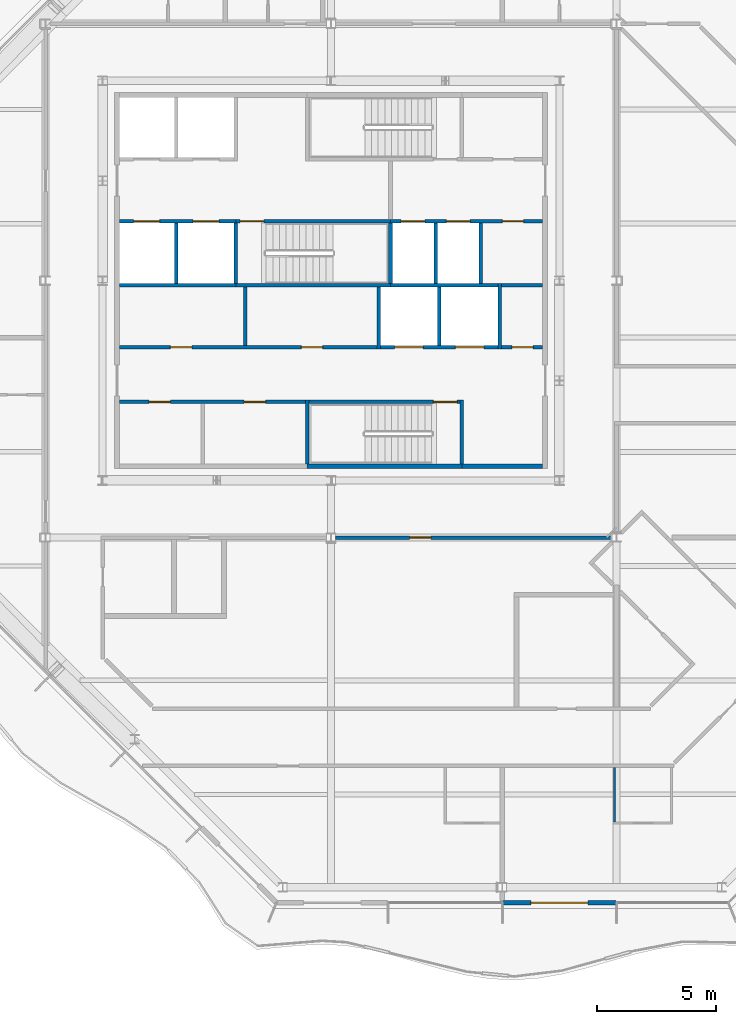
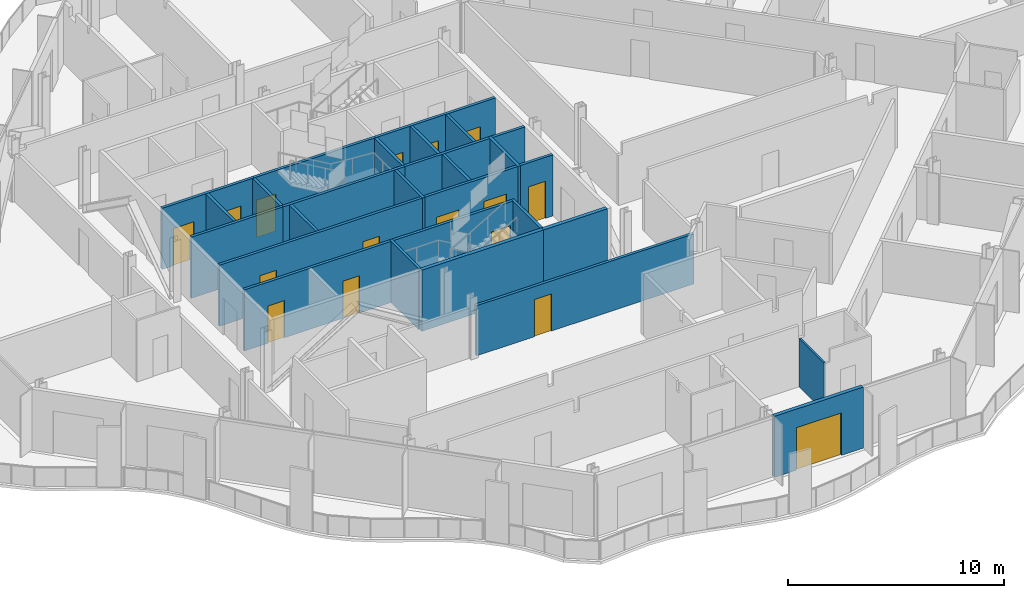
# One storey, part 8 of 17: 28 walls, 16 doors, 16 openings.
"""IFC4 building model written with IfcOpenShell, lengths in metres."""

from ifc_helpers import new_model, si_unit, direction, frame, frame_2d, origin, place, context, subcontext, project, spatial, rectangle, extrude, material, layer, layer_set, type_object, element, fill, save


model = new_model("IFC4")

# Units and contexts
model_context = context("Model", 3, precision=1e-05, world=origin(), true_north=direction((0.0, 1.0)))
body_context = subcontext(model_context, "Body", "Model", "MODEL_VIEW")
ifc_project = project(units=[si_unit("LENGTHUNIT", "METRE"), si_unit("AREAUNIT", "SQUARE_METRE"), si_unit("VOLUMEUNIT", "CUBIC_METRE"), si_unit("PLANEANGLEUNIT", "RADIAN"), si_unit("MASSUNIT", "GRAM", prefix="KILO")], contexts=[model_context])

# Site, building, storey
site_placement = place(None, origin())
site = spatial("IfcSite", under=ifc_project, at=site_placement, CompositionType="ELEMENT")
building_placement = place(site_placement, origin())
building = spatial("IfcBuilding", under=site, at=building_placement, Name="Cairn Pilgrim Tower", CompositionType="ELEMENT")
storey_placement = place(building_placement, frame((0.0, 0.0, 239.39990234375)))
storey = spatial("IfcBuildingStorey", under=building, at=storey_placement, Name="L61", CompositionType="ELEMENT", Elevation=239.39990234375)

# Wall, opening, door
ifc_material_1 = material(Name="Bronze anodised aluminium insulated sandwich panel with mineral wool fill", Category="aluminium")
ifc_layer_1 = layer(ifc_material_1, 0.199951171875)
ifc_layer_set_1 = layer_set([ifc_layer_1], Name="BRONZE INFILL FRAME WALL 200")
wall_type_1 = type_object("IfcWallType", Name="BRONZE INFILL FRAME WALL 200", PredefinedType="NOTDEFINED", material=ifc_layer_set_1)
wall_1_placement = place(storey_placement, frame((14.429931640625, -23.75, 0.0), z_axis=(0.0, 0.0, 1.0), x_axis=(1.0, 0.0, 0.0)))
wall_1 = element("IfcWall", 1, at=wall_1_placement, inside=storey, type_object=wall_type_1, Name="Bronze infill frame wall IW-S3", PredefinedType="NOTDEFINED", context=body_context, shape_type="SweptSolid", body=[
    extrude(rectangle(XDim=4.739990234375, YDim=0.199951171875, at=frame_2d((2.3701171875, 0.0))), origin(), (0.0, 0.0, 1.0), 3.4501953125),
])
opening_1_placement = place(wall_1_placement, frame((1.169921875, 0.0, 0.0)))
opening_1 = element("IfcOpeningElement", 2, at=opening_1_placement, cuts=wall_1, Name="Opening 6101B2", PredefinedType="OPENING", context=body_context, shape_type="SweptSolid", body=[
    extrude(rectangle(XDim=2.39990234375, YDim=2.39990234375, at=frame_2d((1.199951171875, 1.199951171875))), frame((0.0, 0.10986328125, 0.0), z_axis=(0.0, -1.0, 0.0), x_axis=(1.0, 0.0, 0.0)), (0.0, 0.0, 1.0), 0.219970703125),
])
ifc_material_2 = material(Name="Bronze anodised aluminium frame with tinted low-E glass", Category="aluminium")
door_type_1 = type_object("IfcDoorType", Name="BALCONY SLIDING DOOR 2400x2400", OperationType="DOUBLE_DOOR_SLIDING", PredefinedType="DOOR", material=ifc_material_2)
door_1_placement = place(opening_1_placement, origin())
door_1 = element("IfcDoor", 3, at=door_1_placement, inside=storey, type_object=door_type_1, Name="Balcony sliding door 6101B2", OperationType="SINGLE_SWING_LEFT", OverallHeight=2.39990234375, OverallWidth=2.39990234375, PredefinedType="DOOR", context=body_context, shape_type="SweptSolid", body=[
    extrude(rectangle(XDim=2.39990234375, YDim=2.39990234375, at=frame_2d((1.199951171875, 1.199951171875))), frame((0.0, 0.02490234375, 0.0), z_axis=(0.0, -1.0, 0.0), x_axis=(1.0, 0.0, 0.0)), (0.0, 0.0, 1.0), 0.050048828125),
])
fill(opening_1, door_1)

# Wall
ifc_material_3 = material(Name="Concrete C32/40", Category="concrete")
ifc_layer_2 = layer(ifc_material_3, 0.199951171875)
ifc_layer_set_2 = layer_set([ifc_layer_2], Name="CORE OUTER WALL 200 EI 120")
wall_type_2 = type_object("IfcWallType", Name="CORE OUTER WALL 200 EI 120", PredefinedType="SOLIDWALL", material=ifc_layer_set_2)
wall_2_placement = place(storey_placement, frame((12.699951171875, -5.39990234375, 0.0), z_axis=(0.0, 0.0, 1.0), x_axis=(1.0, 0.0, 0.0)))
element("IfcWall", 4, at=wall_2_placement, inside=storey, type_object=wall_type_2, Name="CW:L61:H01-3", PredefinedType="SOLIDWALL", context=body_context, shape_type="SweptSolid", body=[
    extrude(rectangle(XDim=3.400146484375, YDim=0.199951171875, at=frame_2d((1.7001953125, 0.0))), origin(), (0.0, 0.0, 1.0), 3.4501953125),
])

# Wall, openings, doors
ifc_layer_3 = layer(ifc_material_3, 0.14990234375)
ifc_layer_set_3 = layer_set([ifc_layer_3], Name="CORE PARTITION 150 EI 60")
wall_type_3 = type_object("IfcWallType", Name="CORE PARTITION 150 EI 60", PredefinedType="PARTITIONING", material=ifc_layer_set_3)
wall_3_placement = place(storey_placement, frame((-1.699951171875, -2.699951171875, 0.0), z_axis=(0.0, 0.0, 1.0), x_axis=(1.0, 0.0, 0.0)))
wall_3 = element("IfcWall", 5, at=wall_3_placement, inside=storey, type_object=wall_type_3, Name="CW:L61:H02", PredefinedType="PARTITIONING", context=body_context, shape_type="SweptSolid", body=[
    extrude(rectangle(XDim=7.824951171875, YDim=0.14990234375, at=frame_2d((3.91259765625, 0.0))), origin(), (0.0, 0.0, 1.0), 3.4501953125),
])
opening_2_placement = place(wall_3_placement, frame((1.25, 0.0, 0.0)))
opening_2 = element("IfcOpeningElement", 6, at=opening_2_placement, cuts=wall_3, Name="Opening RD-R1W1", PredefinedType="OPENING", context=body_context, shape_type="SweptSolid", body=[
    extrude(rectangle(XDim=0.89990234375, YDim=2.10009765625, at=frame_2d((0.449951171875, 1.050048828125))), frame((0.0, 0.0849609375, 0.0), z_axis=(0.0, -1.0, 0.0), x_axis=(1.0, 0.0, 0.0)), (0.0, 0.0, 1.0), 0.169921875),
])
opening_3_placement = place(wall_3_placement, frame((5.25, 0.0, 0.0)))
opening_3 = element("IfcOpeningElement", 7, at=opening_3_placement, cuts=wall_3, Name="Opening RD-R1W2", PredefinedType="OPENING", context=body_context, shape_type="SweptSolid", body=[
    extrude(rectangle(XDim=0.89990234375, YDim=2.10009765625, at=frame_2d((0.449951171875, 1.050048828125))), frame((0.0, 0.0849609375, 0.0), z_axis=(0.0, -1.0, 0.0), x_axis=(1.0, 0.0, 0.0)), (0.0, 0.0, 1.0), 0.169921875),
])
ifc_material_4 = material(Name="Painted steel", Category="steel")
door_type_2 = type_object("IfcDoorType", Name="SERVICE ROOM DOOR 900x2100", OperationType="SINGLE_SWING_LEFT", PredefinedType="DOOR", material=ifc_material_4)
door_2_placement = place(opening_2_placement, origin())
door_2 = element("IfcDoor", 8, at=door_2_placement, inside=storey, type_object=door_type_2, Name="RD-R1W1", OperationType="SINGLE_SWING_LEFT", OverallHeight=2.10009765625, OverallWidth=0.89990234375, PredefinedType="DOOR", context=body_context, shape_type="SweptSolid", body=[
    extrude(rectangle(XDim=0.89990234375, YDim=2.10009765625, at=frame_2d((0.449951171875, 1.050048828125))), frame((0.0, 0.02490234375, 0.0), z_axis=(0.0, -1.0, 0.0), x_axis=(1.0, 0.0, 0.0)), (0.0, 0.0, 1.0), 0.050048828125),
])
fill(opening_2, door_2)
door_3_placement = place(opening_3_placement, origin())
door_3 = element("IfcDoor", 9, at=door_3_placement, inside=storey, type_object=door_type_2, Name="RD-R1W2", OperationType="SINGLE_SWING_RIGHT", OverallHeight=2.10009765625, OverallWidth=0.89990234375, PredefinedType="DOOR", context=body_context, shape_type="SweptSolid", body=[
    extrude(rectangle(XDim=0.89990234375, YDim=2.10009765625, at=frame_2d((0.449951171875, 1.050048828125))), frame((0.0, 0.02490234375, 0.0), z_axis=(0.0, -1.0, 0.0), x_axis=(1.0, 0.0, 0.0)), (0.0, 0.0, 1.0), 0.050048828125),
])
fill(opening_3, door_3)

wall_4_placement = place(storey_placement, frame((-1.699951171875, -0.39990234375, 0.0), z_axis=(0.0, 0.0, 1.0), x_axis=(1.0, 0.0, 0.0)))
wall_4 = element("IfcWall", 10, at=wall_4_placement, inside=storey, type_object=wall_type_3, Name="CW:L61:H04", PredefinedType="PARTITIONING", context=body_context, shape_type="SweptSolid", body=[
    extrude(rectangle(XDim=10.824951171875, YDim=0.14990234375, at=frame_2d((5.41259765625, 0.0))), origin(), (0.0, 0.0, 1.0), 3.4501953125),
])
opening_4_placement = place(wall_4_placement, frame((2.14990234375, 0.0, 0.0)))
opening_4 = element("IfcOpeningElement", 11, at=opening_4_placement, cuts=wall_4, Name="Opening RD-R2W1", PredefinedType="OPENING", context=body_context, shape_type="SweptSolid", body=[
    extrude(rectangle(XDim=0.89990234375, YDim=2.10009765625, at=frame_2d((0.449951171875, 1.050048828125))), frame((0.0, 0.0849609375, 0.0), z_axis=(0.0, -1.0, 0.0), x_axis=(1.0, 0.0, 0.0)), (0.0, 0.0, 1.0), 0.169921875),
])
opening_5_placement = place(wall_4_placement, frame((7.64990234375, 0.0, 0.0)))
opening_5 = element("IfcOpeningElement", 12, at=opening_5_placement, cuts=wall_4, Name="Opening RD-R2W2", PredefinedType="OPENING", context=body_context, shape_type="SweptSolid", body=[
    extrude(rectangle(XDim=0.89990234375, YDim=2.10009765625, at=frame_2d((0.449951171875, 1.050048828125))), frame((0.0, 0.0849609375, 0.0), z_axis=(0.0, -1.0, 0.0), x_axis=(1.0, 0.0, 0.0)), (0.0, 0.0, 1.0), 0.169921875),
])
door_4_placement = place(opening_4_placement, origin())
door_4 = element("IfcDoor", 13, at=door_4_placement, inside=storey, type_object=door_type_2, Name="RD-R2W1", OperationType="SINGLE_SWING_LEFT", OverallHeight=2.10009765625, OverallWidth=0.89990234375, PredefinedType="DOOR", context=body_context, shape_type="SweptSolid", body=[
    extrude(rectangle(XDim=0.89990234375, YDim=2.10009765625, at=frame_2d((0.449951171875, 1.050048828125))), frame((0.0, 0.02490234375, 0.0), z_axis=(0.0, -1.0, 0.0), x_axis=(1.0, 0.0, 0.0)), (0.0, 0.0, 1.0), 0.050048828125),
])
fill(opening_4, door_4)
door_5_placement = place(opening_5_placement, origin())
door_5 = element("IfcDoor", 14, at=door_5_placement, inside=storey, type_object=door_type_2, Name="RD-R2W2", OperationType="SINGLE_SWING_RIGHT", OverallHeight=2.10009765625, OverallWidth=0.89990234375, PredefinedType="DOOR", context=body_context, shape_type="SweptSolid", body=[
    extrude(rectangle(XDim=0.89990234375, YDim=2.10009765625, at=frame_2d((0.449951171875, 1.050048828125))), frame((0.0, 0.02490234375, 0.0), z_axis=(0.0, -1.0, 0.0), x_axis=(1.0, 0.0, 0.0)), (0.0, 0.0, 1.0), 0.050048828125),
])
fill(opening_5, door_5)

# Wall, opening, door
wall_5_placement = place(storey_placement, frame((14.375, -0.39990234375, 0.0), z_axis=(0.0, 0.0, 1.0), x_axis=(1.0, 0.0, 0.0)))
wall_5 = element("IfcWall", 15, at=wall_5_placement, inside=storey, type_object=wall_type_3, Name="CW:L61:H06", PredefinedType="PARTITIONING", context=body_context, shape_type="SweptSolid", body=[
    extrude(rectangle(XDim=1.72509765625, YDim=0.14990234375, at=frame_2d((0.862548828125, 0.0))), origin(), (0.0, 0.0, 1.0), 3.4501953125),
])
opening_6_placement = place(wall_5_placement, frame((0.425048828125, 0.0, 0.0)))
opening_6 = element("IfcOpeningElement", 16, at=opening_6_placement, cuts=wall_5, Name="Opening RD-R2E", PredefinedType="OPENING", context=body_context, shape_type="SweptSolid", body=[
    extrude(rectangle(XDim=0.89990234375, YDim=2.10009765625, at=frame_2d((0.449951171875, 1.050048828125))), frame((0.0, 0.0849609375, 0.0), z_axis=(0.0, -1.0, 0.0), x_axis=(1.0, 0.0, 0.0)), (0.0, 0.0, 1.0), 0.169921875),
])
door_6_placement = place(opening_6_placement, origin())
door_6 = element("IfcDoor", 17, at=door_6_placement, inside=storey, type_object=door_type_2, Name="RD-R2E", OperationType="SINGLE_SWING_RIGHT", OverallHeight=2.10009765625, OverallWidth=0.89990234375, PredefinedType="DOOR", context=body_context, shape_type="SweptSolid", body=[
    extrude(rectangle(XDim=0.89990234375, YDim=2.10009765625, at=frame_2d((0.449951171875, 1.050048828125))), frame((0.0, 0.02490234375, 0.0), z_axis=(0.0, -1.0, 0.0), x_axis=(1.0, 0.0, 0.0)), (0.0, 0.0, 1.0), 0.050048828125),
])
fill(opening_6, door_6)

# Walls
wall_6_placement = place(storey_placement, frame((14.375, 2.199951171875, 0.0), z_axis=(0.0, 0.0, 1.0), x_axis=(1.0, 0.0, 0.0)))
element("IfcWall", 18, at=wall_6_placement, inside=storey, type_object=wall_type_3, Name="CW:L61:H08", PredefinedType="PARTITIONING", context=body_context, shape_type="SweptSolid", body=[
    extrude(rectangle(XDim=1.72509765625, YDim=0.14990234375, at=frame_2d((0.862548828125, 0.0))), origin(), (0.0, 0.0, 1.0), 3.4501953125),
])
wall_7_placement = place(storey_placement, frame((3.60009765625, -0.324951171875, 0.0), z_axis=(0.0, 0.0, 1.0), x_axis=(0.0, 1.0, 0.0)))
element("IfcWall", 19, at=wall_7_placement, inside=storey, type_object=wall_type_3, Name="CW:L61:V19", PredefinedType="PARTITIONING", context=body_context, shape_type="SweptSolid", body=[
    extrude(rectangle(XDim=2.449951171875, YDim=0.14990234375, at=frame_2d((1.22509765625, 0.0))), origin(), (0.0, 0.0, 1.0), 3.4501953125),
])

# Wall, openings, doors
ifc_layer_4 = layer(ifc_material_3, 0.14990234375)
ifc_layer_set_4 = layer_set([ifc_layer_4], Name="CORE SHAFT WALL 150 EI 120")
wall_type_4 = type_object("IfcWallType", Name="CORE SHAFT WALL 150 EI 120", PredefinedType="SOLIDWALL", material=ifc_layer_set_4)
wall_8_placement = place(storey_placement, frame((9.27490234375, -0.39990234375, 0.0), z_axis=(0.0, 0.0, 1.0), x_axis=(1.0, 0.0, 0.0)))
wall_8 = element("IfcWall", 20, at=wall_8_placement, inside=storey, type_object=wall_type_4, Name="CW:L61:H05", PredefinedType="SOLIDWALL", context=body_context, shape_type="SweptSolid", body=[
    extrude(rectangle(XDim=4.9501953125, YDim=0.14990234375, at=frame_2d((2.47509765625, 0.0))), origin(), (0.0, 0.0, 1.0), 3.4501953125),
])
opening_7_placement = place(wall_8_placement, frame((0.60009765625, 0.0, 0.0)))
opening_7 = element("IfcOpeningElement", 21, at=opening_7_placement, cuts=wall_8, Name="Opening LD-SV1", PredefinedType="OPENING", context=body_context, shape_type="SweptSolid", body=[
    extrude(rectangle(XDim=1.199951171875, YDim=2.10009765625, at=frame_2d((0.60009765625, 1.050048828125))), frame((0.0, 0.0849609375, 0.0), z_axis=(0.0, -1.0, 0.0), x_axis=(1.0, 0.0, 0.0)), (0.0, 0.0, 1.0), 0.169921875),
])
opening_8_placement = place(wall_8_placement, frame((3.14990234375, 0.0, 0.0)))
opening_8 = element("IfcOpeningElement", 22, at=opening_8_placement, cuts=wall_8, Name="Opening LD-SV2", PredefinedType="OPENING", context=body_context, shape_type="SweptSolid", body=[
    extrude(rectangle(XDim=1.199951171875, YDim=2.10009765625, at=frame_2d((0.60009765625, 1.050048828125))), frame((0.0, 0.0849609375, 0.0), z_axis=(0.0, -1.0, 0.0), x_axis=(1.0, 0.0, 0.0)), (0.0, 0.0, 1.0), 0.169921875),
])
ifc_material_5 = material(Name="Stainless steel", Category="steel")
door_type_3 = type_object("IfcDoorType", Name="LIFT LANDING DOOR 1200x2100", OperationType="DOUBLE_DOOR_SLIDING", PredefinedType="DOOR", material=ifc_material_5)
door_7_placement = place(opening_7_placement, origin())
door_7 = element("IfcDoor", 23, at=door_7_placement, inside=storey, type_object=door_type_3, Name="LANDING DOOR SV1", OperationType="DOUBLE_DOOR_SLIDING", OverallHeight=2.10009765625, OverallWidth=1.199951171875, PredefinedType="DOOR", context=body_context, shape_type="SweptSolid", body=[
    extrude(rectangle(XDim=1.199951171875, YDim=2.10009765625, at=frame_2d((0.60009765625, 1.050048828125))), frame((0.0, 0.02490234375, 0.0), z_axis=(0.0, -1.0, 0.0), x_axis=(1.0, 0.0, 0.0)), (0.0, 0.0, 1.0), 0.050048828125),
])
fill(opening_7, door_7)
door_8_placement = place(opening_8_placement, origin())
door_8 = element("IfcDoor", 24, at=door_8_placement, inside=storey, type_object=door_type_3, Name="LANDING DOOR SV2", OperationType="DOUBLE_DOOR_SLIDING", OverallHeight=2.10009765625, OverallWidth=1.199951171875, PredefinedType="DOOR", context=body_context, shape_type="SweptSolid", body=[
    extrude(rectangle(XDim=1.199951171875, YDim=2.10009765625, at=frame_2d((0.60009765625, 1.050048828125))), frame((0.0, 0.02490234375, 0.0), z_axis=(0.0, -1.0, 0.0), x_axis=(1.0, 0.0, 0.0)), (0.0, 0.0, 1.0), 0.050048828125),
])
fill(opening_8, door_8)

# Walls
wall_9_placement = place(storey_placement, frame((-1.699951171875, 2.199951171875, 0.0), z_axis=(0.0, 0.0, 1.0), x_axis=(1.0, 0.0, 0.0)))
element("IfcWall", 25, at=wall_9_placement, inside=storey, type_object=wall_type_4, Name="CW:L61:H07-1", PredefinedType="SOLIDWALL", context=body_context, shape_type="SweptSolid", body=[
    extrude(rectangle(XDim=4.89990234375, YDim=0.14990234375, at=frame_2d((2.449951171875, 0.0))), origin(), (0.0, 0.0, 1.0), 3.4501953125),
])
wall_10_placement = place(storey_placement, frame((9.699951171875, 2.199951171875, 0.0), z_axis=(0.0, 0.0, 1.0), x_axis=(1.0, 0.0, 0.0)))
element("IfcWall", 26, at=wall_10_placement, inside=storey, type_object=wall_type_4, Name="CW:L61:H07-3", PredefinedType="SOLIDWALL", context=body_context, shape_type="SweptSolid", body=[
    extrude(rectangle(XDim=4.525146484375, YDim=0.14990234375, at=frame_2d((2.2626953125, 0.0))), origin(), (0.0, 0.0, 1.0), 3.4501953125),
])

# Wall, openings, doors
wall_11_placement = place(storey_placement, frame((-1.699951171875, 4.89990234375, 0.0), z_axis=(0.0, 0.0, 1.0), x_axis=(1.0, 0.0, 0.0)))
wall_11 = element("IfcWall", 27, at=wall_11_placement, inside=storey, type_object=wall_type_4, Name="CW:L61:H09-1", PredefinedType="SOLIDWALL", context=body_context, shape_type="SweptSolid", body=[
    extrude(rectangle(XDim=4.89990234375, YDim=0.14990234375, at=frame_2d((2.449951171875, 0.0))), origin(), (0.0, 0.0, 1.0), 3.4501953125),
])
opening_9_placement = place(wall_11_placement, frame((0.60009765625, 0.0, 0.0)))
opening_9 = element("IfcOpeningElement", 28, at=opening_9_placement, cuts=wall_11, Name="Opening LD-HR1", PredefinedType="OPENING", context=body_context, shape_type="SweptSolid", body=[
    extrude(rectangle(XDim=1.10009765625, YDim=2.10009765625, at=frame_2d((0.550048828125, 1.050048828125))), frame((0.0, 0.0849609375, 0.0), z_axis=(0.0, -1.0, 0.0), x_axis=(1.0, 0.0, 0.0)), (0.0, 0.0, 1.0), 0.169921875),
])
opening_10_placement = place(wall_11_placement, frame((3.10009765625, 0.0, 0.0)))
opening_10 = element("IfcOpeningElement", 29, at=opening_10_placement, cuts=wall_11, Name="Opening LD-HR2", PredefinedType="OPENING", context=body_context, shape_type="SweptSolid", body=[
    extrude(rectangle(XDim=1.10009765625, YDim=2.10009765625, at=frame_2d((0.550048828125, 1.050048828125))), frame((0.0, 0.0849609375, 0.0), z_axis=(0.0, -1.0, 0.0), x_axis=(1.0, 0.0, 0.0)), (0.0, 0.0, 1.0), 0.169921875),
])
door_type_4 = type_object("IfcDoorType", Name="LIFT LANDING DOOR 1100x2100", OperationType="DOUBLE_DOOR_SLIDING", PredefinedType="DOOR", material=ifc_material_5)
door_9_placement = place(opening_9_placement, origin())
door_9 = element("IfcDoor", 30, at=door_9_placement, inside=storey, type_object=door_type_4, Name="LANDING DOOR HR1", OperationType="DOUBLE_DOOR_SLIDING", OverallHeight=2.10009765625, OverallWidth=1.10009765625, PredefinedType="DOOR", context=body_context, shape_type="SweptSolid", body=[
    extrude(rectangle(XDim=1.10009765625, YDim=2.10009765625, at=frame_2d((0.550048828125, 1.050048828125))), frame((0.0, 0.02490234375, 0.0), z_axis=(0.0, -1.0, 0.0), x_axis=(1.0, 0.0, 0.0)), (0.0, 0.0, 1.0), 0.050048828125),
])
fill(opening_9, door_9)
door_10_placement = place(opening_10_placement, origin())
door_10 = element("IfcDoor", 31, at=door_10_placement, inside=storey, type_object=door_type_4, Name="LANDING DOOR HR2", OperationType="DOUBLE_DOOR_SLIDING", OverallHeight=2.10009765625, OverallWidth=1.10009765625, PredefinedType="DOOR", context=body_context, shape_type="SweptSolid", body=[
    extrude(rectangle(XDim=1.10009765625, YDim=2.10009765625, at=frame_2d((0.550048828125, 1.050048828125))), frame((0.0, 0.02490234375, 0.0), z_axis=(0.0, -1.0, 0.0), x_axis=(1.0, 0.0, 0.0)), (0.0, 0.0, 1.0), 0.050048828125),
])
fill(opening_10, door_10)

wall_12_placement = place(storey_placement, frame((9.699951171875, 4.89990234375, 0.0), z_axis=(0.0, 0.0, 1.0), x_axis=(1.0, 0.0, 0.0)))
wall_12 = element("IfcWall", 32, at=wall_12_placement, inside=storey, type_object=wall_type_4, Name="CW:L61:H09-3", PredefinedType="SOLIDWALL", context=body_context, shape_type="SweptSolid", body=[
    extrude(rectangle(XDim=6.400146484375, YDim=0.14990234375, at=frame_2d((3.2001953125, 0.0))), origin(), (0.0, 0.0, 1.0), 3.4501953125),
])
opening_11_placement = place(wall_12_placement, frame((0.449951171875, 0.0, 0.0)))
opening_11 = element("IfcOpeningElement", 33, at=opening_11_placement, cuts=wall_12, Name="Opening LD-FF1", PredefinedType="OPENING", context=body_context, shape_type="SweptSolid", body=[
    extrude(rectangle(XDim=1.0, YDim=2.10009765625, at=frame_2d((0.5, 1.050048828125))), frame((0.0, 0.0849609375, 0.0), z_axis=(0.0, -1.0, 0.0), x_axis=(1.0, 0.0, 0.0)), (0.0, 0.0, 1.0), 0.169921875),
])
opening_12_placement = place(wall_12_placement, frame((2.35009765625, 0.0, 0.0)))
opening_12 = element("IfcOpeningElement", 34, at=opening_12_placement, cuts=wall_12, Name="Opening LD-FF2", PredefinedType="OPENING", context=body_context, shape_type="SweptSolid", body=[
    extrude(rectangle(XDim=1.0, YDim=2.10009765625, at=frame_2d((0.5, 1.050048828125))), frame((0.0, 0.0849609375, 0.0), z_axis=(0.0, -1.0, 0.0), x_axis=(1.0, 0.0, 0.0)), (0.0, 0.0, 1.0), 0.169921875),
])
opening_13_placement = place(wall_12_placement, frame((4.699951171875, 0.0, 0.0)))
opening_13 = element("IfcOpeningElement", 35, at=opening_13_placement, cuts=wall_12, Name="Opening RD-R3E", PredefinedType="OPENING", context=body_context, shape_type="SweptSolid", body=[
    extrude(rectangle(XDim=0.89990234375, YDim=2.10009765625, at=frame_2d((0.449951171875, 1.050048828125))), frame((0.0, 0.0849609375, 0.0), z_axis=(0.0, -1.0, 0.0), x_axis=(1.0, 0.0, 0.0)), (0.0, 0.0, 1.0), 0.169921875),
])
door_type_5 = type_object("IfcDoorType", Name="LIFT LANDING DOOR FIRE 1000x2100", OperationType="DOUBLE_DOOR_SLIDING", PredefinedType="DOOR", material=ifc_material_5)
door_11_placement = place(opening_11_placement, origin())
door_11 = element("IfcDoor", 36, at=door_11_placement, inside=storey, type_object=door_type_5, Name="LANDING DOOR FF1", OperationType="DOUBLE_DOOR_SLIDING", OverallHeight=2.10009765625, OverallWidth=1.0, PredefinedType="DOOR", context=body_context, shape_type="SweptSolid", body=[
    extrude(rectangle(XDim=1.0, YDim=2.10009765625, at=frame_2d((0.5, 1.050048828125))), frame((0.0, 0.02490234375, 0.0), z_axis=(0.0, -1.0, 0.0), x_axis=(1.0, 0.0, 0.0)), (0.0, 0.0, 1.0), 0.050048828125),
])
fill(opening_11, door_11)
door_12_placement = place(opening_12_placement, origin())
door_12 = element("IfcDoor", 37, at=door_12_placement, inside=storey, type_object=door_type_5, Name="LANDING DOOR FF2", OperationType="DOUBLE_DOOR_SLIDING", OverallHeight=2.10009765625, OverallWidth=1.0, PredefinedType="DOOR", context=body_context, shape_type="SweptSolid", body=[
    extrude(rectangle(XDim=1.0, YDim=2.10009765625, at=frame_2d((0.5, 1.050048828125))), frame((0.0, 0.02490234375, 0.0), z_axis=(0.0, -1.0, 0.0), x_axis=(1.0, 0.0, 0.0)), (0.0, 0.0, 1.0), 0.050048828125),
])
fill(opening_12, door_12)
door_13_placement = place(opening_13_placement, origin())
door_13 = element("IfcDoor", 38, at=door_13_placement, inside=storey, type_object=door_type_2, Name="RD-R3E", OperationType="SINGLE_SWING_LEFT", OverallHeight=2.10009765625, OverallWidth=0.89990234375, PredefinedType="DOOR", context=body_context, shape_type="SweptSolid", body=[
    extrude(rectangle(XDim=0.89990234375, YDim=2.10009765625, at=frame_2d((0.449951171875, 1.050048828125))), frame((0.0, 0.02490234375, 0.0), z_axis=(0.0, -1.0, 0.0), x_axis=(1.0, 0.0, 0.0)), (0.0, 0.0, 1.0), 0.050048828125),
])
fill(opening_13, door_13)

# Walls
wall_13_placement = place(storey_placement, frame((0.699951171875, 2.27490234375, 0.0), z_axis=(0.0, 0.0, 1.0), x_axis=(0.0, 1.0, 0.0)))
element("IfcWall", 39, at=wall_13_placement, inside=storey, type_object=wall_type_4, Name="CW:L61:V14", PredefinedType="SOLIDWALL", context=body_context, shape_type="SweptSolid", body=[
    extrude(rectangle(XDim=2.550048828125, YDim=0.14990234375, at=frame_2d((1.27490234375, 0.0))), origin(), (0.0, 0.0, 1.0), 3.4501953125),
])
wall_14_placement = place(storey_placement, frame((9.199951171875, -0.47509765625, 0.0), z_axis=(0.0, 0.0, 1.0), x_axis=(0.0, 1.0, 0.0)))
element("IfcWall", 40, at=wall_14_placement, inside=storey, type_object=wall_type_4, Name="CW:L61:V22", PredefinedType="SOLIDWALL", context=body_context, shape_type="SweptSolid", body=[
    extrude(rectangle(XDim=2.60009765625, YDim=0.14990234375, at=frame_2d((1.300048828125, 0.0))), origin(), (0.0, 0.0, 1.0), 3.4501953125),
])
wall_15_placement = place(storey_placement, frame((11.60009765625, 2.27490234375, 0.0), z_axis=(0.0, 0.0, 1.0), x_axis=(0.0, 1.0, 0.0)))
element("IfcWall", 41, at=wall_15_placement, inside=storey, type_object=wall_type_4, Name="CW:L61:V25", PredefinedType="SOLIDWALL", context=body_context, shape_type="SweptSolid", body=[
    extrude(rectangle(XDim=2.550048828125, YDim=0.14990234375, at=frame_2d((1.27490234375, 0.0))), origin(), (0.0, 0.0, 1.0), 3.4501953125),
])
wall_16_placement = place(storey_placement, frame((11.75, -0.324951171875, 0.0), z_axis=(0.0, 0.0, 1.0), x_axis=(0.0, 1.0, 0.0)))
element("IfcWall", 42, at=wall_16_placement, inside=storey, type_object=wall_type_4, Name="CW:L61:V26", PredefinedType="SOLIDWALL", context=body_context, shape_type="SweptSolid", body=[
    extrude(rectangle(XDim=2.449951171875, YDim=0.14990234375, at=frame_2d((1.22509765625, 0.0))), origin(), (0.0, 0.0, 1.0), 3.4501953125),
])
wall_17_placement = place(storey_placement, frame((13.5, 2.27490234375, 0.0), z_axis=(0.0, 0.0, 1.0), x_axis=(0.0, 1.0, 0.0)))
element("IfcWall", 43, at=wall_17_placement, inside=storey, type_object=wall_type_4, Name="CW:L61:V29", PredefinedType="SOLIDWALL", context=body_context, shape_type="SweptSolid", body=[
    extrude(rectangle(XDim=2.550048828125, YDim=0.14990234375, at=frame_2d((1.27490234375, 0.0))), origin(), (0.0, 0.0, 1.0), 3.4501953125),
])
wall_18_placement = place(storey_placement, frame((14.300048828125, -0.47509765625, 0.0), z_axis=(0.0, 0.0, 1.0), x_axis=(0.0, 1.0, 0.0)))
element("IfcWall", 44, at=wall_18_placement, inside=storey, type_object=wall_type_4, Name="CW:L61:V30", PredefinedType="SOLIDWALL", context=body_context, shape_type="SweptSolid", body=[
    extrude(rectangle(XDim=2.75, YDim=0.14990234375, at=frame_2d((1.375, 0.0))), origin(), (0.0, 0.0, 1.0), 3.4501953125),
])
ifc_material_6 = material(Name="Gypsum partition")
ifc_layer_5 = layer(ifc_material_6, 0.10009765625)
ifc_layer_set_5 = layer_set([ifc_layer_5], Name="PARTITION 100 DRYWALL")
wall_type_5 = type_object("IfcWallType", Name="PARTITION 100 DRYWALL", PredefinedType="PARTITIONING", material=ifc_layer_set_5)
wall_19_placement = place(storey_placement, frame((19.114990234375, -20.35009765625, 0.0), z_axis=(0.0, 0.0, 1.0), x_axis=(0.0, 1.0, 0.0)))
element("IfcWall", 45, at=wall_19_placement, inside=storey, type_object=wall_type_5, Name="PARTITION W006", PredefinedType="PARTITIONING", context=body_context, shape_type="SweptSolid", body=[
    extrude(rectangle(XDim=2.275146484375, YDim=0.10009765625, at=frame_2d((1.1376953125, 0.0))), origin(), (0.0, 0.0, 1.0), 2.72998046875),
])

# Wall, opening, door
ifc_layer_6 = layer(ifc_material_6, 0.14990234375)
ifc_layer_set_6 = layer_set([ifc_layer_6], Name="PARTITION 150 DRYWALL EI 60")
wall_type_6 = type_object("IfcWallType", Name="PARTITION 150 DRYWALL EI 60", PredefinedType="PARTITIONING", material=ifc_layer_set_6)
wall_20_placement = place(storey_placement, frame((7.39697265625, -8.39990234375, 0.0), z_axis=(0.0, 0.0, 1.0), x_axis=(1.0, 0.0, 0.0)))
wall_20 = element("IfcWall", 46, at=wall_20_placement, inside=storey, type_object=wall_type_6, Name="PARTITION W035", PredefinedType="PARTITIONING", context=body_context, shape_type="SweptSolid", body=[
    extrude(rectangle(XDim=11.60595703125, YDim=0.14990234375, at=frame_2d((5.802978515625, 0.0))), origin(), (0.0, 0.0, 1.0), 2.830078125),
])
opening_14_placement = place(wall_20_placement, frame((3.10302734375, 0.0, 0.0)))
opening_14 = element("IfcOpeningElement", 47, at=opening_14_placement, cuts=wall_20, Name="Opening 6121", PredefinedType="OPENING", context=body_context, shape_type="SweptSolid", body=[
    extrude(rectangle(XDim=0.89990234375, YDim=2.10009765625, at=frame_2d((0.449951171875, 1.050048828125))), frame((0.0, 0.0849609375, 0.0), z_axis=(0.0, -1.0, 0.0), x_axis=(1.0, 0.0, 0.0)), (0.0, 0.0, 1.0), 0.169921875),
])
ifc_material_7 = material(Name="Timber door leaf", Category="wood")
door_type_6 = type_object("IfcDoorType", Name="SERVICE DOOR 900x2100 FD30S", OperationType="NOTDEFINED", PredefinedType="DOOR", material=ifc_material_7)
door_14_placement = place(opening_14_placement, frame((0.89990234375, 0.0, 0.0), z_axis=(0.0, 0.0, 1.0), x_axis=(-1.0, 0.0, 0.0)))
door_14 = element("IfcDoor", 48, at=door_14_placement, inside=storey, type_object=door_type_6, Name="DOOR 6121", OperationType="SINGLE_SWING_RIGHT", OverallHeight=2.10009765625, OverallWidth=0.89990234375, PredefinedType="DOOR", context=body_context, shape_type="SweptSolid", body=[
    extrude(rectangle(XDim=0.89990234375, YDim=2.10009765625, at=frame_2d((0.449951171875, 1.050048828125))), frame((0.0, 0.02490234375, 0.0), z_axis=(0.0, -1.0, 0.0), x_axis=(1.0, 0.0, 0.0)), (0.0, 0.0, 1.0), 0.050048828125),
])
fill(opening_14, door_14)

ifc_material_8 = material(Name="Concrete C35/45", Category="concrete")
ifc_layer_7 = layer(ifc_material_8, 0.14990234375)
ifc_layer_set_7 = layer_set([ifc_layer_7], Name="STAIR SHAFT WALL 150 EI 120")
wall_type_7 = type_object("IfcWallType", Name="STAIR SHAFT WALL 150 EI 120", PredefinedType="SOLIDWALL", material=ifc_layer_set_7)
wall_21_placement = place(storey_placement, frame((6.27490234375, -2.699951171875, 0.0), z_axis=(0.0, 0.0, 1.0), x_axis=(1.0, 0.0, 0.0)))
wall_21 = element("IfcWall", 49, at=wall_21_placement, inside=storey, type_object=wall_type_7, Name="CW:L61:H03", PredefinedType="SOLIDWALL", context=body_context, shape_type="SweptSolid", body=[
    extrude(rectangle(XDim=6.35009765625, YDim=0.14990234375, at=frame_2d((3.175048828125, 0.0))), origin(), (0.0, 0.0, 1.0), 3.4501953125),
])
opening_15_placement = place(wall_21_placement, frame((5.22509765625, 0.0, 0.0)))
opening_15 = element("IfcOpeningElement", 50, at=opening_15_placement, cuts=wall_21, Name="Opening SD-A", PredefinedType="OPENING", context=body_context, shape_type="SweptSolid", body=[
    extrude(rectangle(XDim=1.0, YDim=2.10009765625, at=frame_2d((0.5, 1.050048828125))), frame((0.0, 0.0849609375, 0.0), z_axis=(0.0, -1.0, 0.0), x_axis=(1.0, 0.0, 0.0)), (0.0, 0.0, 1.0), 0.169921875),
])
door_type_7 = type_object("IfcDoorType", Name="STAIR DOOR FD60S 1000x2100", OperationType="SINGLE_SWING_LEFT", PredefinedType="DOOR", material=ifc_material_4)
door_15_placement = place(opening_15_placement, origin())
door_15 = element("IfcDoor", 51, at=door_15_placement, inside=storey, type_object=door_type_7, Name="SD-A", OperationType="SINGLE_SWING_LEFT", OverallHeight=2.10009765625, OverallWidth=1.0, PredefinedType="DOOR", context=body_context, shape_type="SweptSolid", body=[
    extrude(rectangle(XDim=1.0, YDim=2.10009765625, at=frame_2d((0.5, 1.050048828125))), frame((0.0, 0.02490234375, 0.0), z_axis=(0.0, -1.0, 0.0), x_axis=(1.0, 0.0, 0.0)), (0.0, 0.0, 1.0), 0.050048828125),
])
fill(opening_15, door_15)

# Wall
wall_22_placement = place(storey_placement, frame((3.199951171875, 2.199951171875, 0.0), z_axis=(0.0, 0.0, 1.0), x_axis=(1.0, 0.0, 0.0)))
element("IfcWall", 52, at=wall_22_placement, inside=storey, type_object=wall_type_7, Name="CW:L61:H07-2", PredefinedType="SOLIDWALL", context=body_context, shape_type="SweptSolid", body=[
    extrude(rectangle(XDim=6.5, YDim=0.14990234375, at=frame_2d((3.25, 0.0))), origin(), (0.0, 0.0, 1.0), 3.4501953125),
])

# Wall, opening, door
wall_23_placement = place(storey_placement, frame((3.199951171875, 4.89990234375, 0.0), z_axis=(0.0, 0.0, 1.0), x_axis=(1.0, 0.0, 0.0)))
wall_23 = element("IfcWall", 53, at=wall_23_placement, inside=storey, type_object=wall_type_7, Name="CW:L61:H09-2", PredefinedType="SOLIDWALL", context=body_context, shape_type="SweptSolid", body=[
    extrude(rectangle(XDim=6.5, YDim=0.14990234375, at=frame_2d((3.25, 0.0))), origin(), (0.0, 0.0, 1.0), 3.4501953125),
])
opening_16_placement = place(wall_23_placement, frame((0.175048828125, 0.0, 0.0)))
opening_16 = element("IfcOpeningElement", 54, at=opening_16_placement, cuts=wall_23, Name="Opening SD-B", PredefinedType="OPENING", context=body_context, shape_type="SweptSolid", body=[
    extrude(rectangle(XDim=1.0, YDim=2.10009765625, at=frame_2d((0.5, 1.050048828125))), frame((0.0, 0.0849609375, 0.0), z_axis=(0.0, -1.0, 0.0), x_axis=(1.0, 0.0, 0.0)), (0.0, 0.0, 1.0), 0.169921875),
])
door_16_placement = place(opening_16_placement, origin())
door_16 = element("IfcDoor", 55, at=door_16_placement, inside=storey, type_object=door_type_7, Name="SD-B", OperationType="SINGLE_SWING_RIGHT", OverallHeight=2.10009765625, OverallWidth=1.0, PredefinedType="DOOR", context=body_context, shape_type="SweptSolid", body=[
    extrude(rectangle(XDim=1.0, YDim=2.10009765625, at=frame_2d((0.5, 1.050048828125))), frame((0.0, 0.02490234375, 0.0), z_axis=(0.0, -1.0, 0.0), x_axis=(1.0, 0.0, 0.0)), (0.0, 0.0, 1.0), 0.050048828125),
])
fill(opening_16, door_16)

# Walls
wall_24_placement = place(storey_placement, frame((3.199951171875, 2.27490234375, 0.0), z_axis=(0.0, 0.0, 1.0), x_axis=(0.0, 1.0, 0.0)))
element("IfcWall", 56, at=wall_24_placement, inside=storey, type_object=wall_type_7, Name="CW:L61:V17", PredefinedType="SOLIDWALL", context=body_context, shape_type="SweptSolid", body=[
    extrude(rectangle(XDim=2.550048828125, YDim=0.14990234375, at=frame_2d((1.27490234375, 0.0))), origin(), (0.0, 0.0, 1.0), 3.4501953125),
])
wall_25_placement = place(storey_placement, frame((6.199951171875, -5.300048828125, 0.0), z_axis=(0.0, 0.0, 1.0), x_axis=(0.0, 1.0, 0.0)))
element("IfcWall", 57, at=wall_25_placement, inside=storey, type_object=wall_type_7, Name="CW:L61:V20", PredefinedType="SOLIDWALL", context=body_context, shape_type="SweptSolid", body=[
    extrude(rectangle(XDim=2.675048828125, YDim=0.14990234375, at=frame_2d((1.33740234375, 0.0))), origin(), (0.0, 0.0, 1.0), 3.4501953125),
])
wall_26_placement = place(storey_placement, frame((9.699951171875, 2.27490234375, 0.0), z_axis=(0.0, 0.0, 1.0), x_axis=(0.0, 1.0, 0.0)))
element("IfcWall", 58, at=wall_26_placement, inside=storey, type_object=wall_type_7, Name="CW:L61:V23", PredefinedType="SOLIDWALL", context=body_context, shape_type="SweptSolid", body=[
    extrude(rectangle(XDim=2.550048828125, YDim=0.14990234375, at=frame_2d((1.27490234375, 0.0))), origin(), (0.0, 0.0, 1.0), 3.4501953125),
])
wall_27_placement = place(storey_placement, frame((12.699951171875, -5.300048828125, 0.0), z_axis=(0.0, 0.0, 1.0), x_axis=(0.0, 1.0, 0.0)))
element("IfcWall", 59, at=wall_27_placement, inside=storey, type_object=wall_type_7, Name="CW:L61:V27", PredefinedType="SOLIDWALL", context=body_context, shape_type="SweptSolid", body=[
    extrude(rectangle(XDim=2.675048828125, YDim=0.14990234375, at=frame_2d((1.33740234375, 0.0))), origin(), (0.0, 0.0, 1.0), 3.4501953125),
])
ifc_layer_8 = layer(ifc_material_8, 0.199951171875)
ifc_layer_set_8 = layer_set([ifc_layer_8], Name="STAIR SHAFT WALL 200 EI 120")
wall_type_8 = type_object("IfcWallType", Name="STAIR SHAFT WALL 200 EI 120", PredefinedType="SOLIDWALL", material=ifc_layer_set_8)
wall_28_placement = place(storey_placement, frame((6.199951171875, -5.39990234375, 0.0), z_axis=(0.0, 0.0, 1.0), x_axis=(1.0, 0.0, 0.0)))
element("IfcWall", 60, at=wall_28_placement, inside=storey, type_object=wall_type_8, Name="CW:L61:H01-2", PredefinedType="SOLIDWALL", context=body_context, shape_type="SweptSolid", body=[
    extrude(rectangle(XDim=6.5, YDim=0.199951171875, at=frame_2d((3.25, 0.0))), origin(), (0.0, 0.0, 1.0), 3.4501953125),
])

save(model, "model.ifc")
